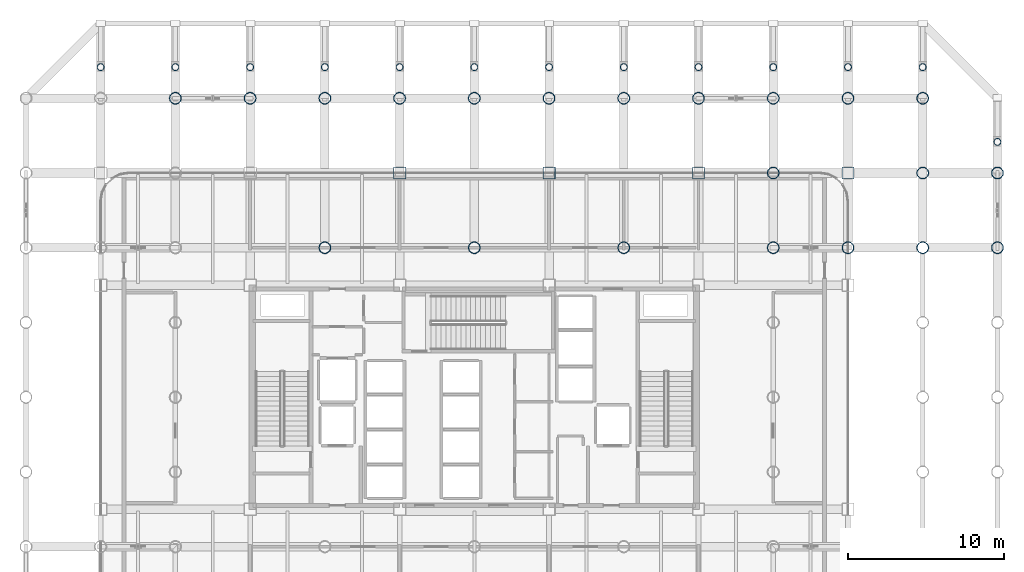
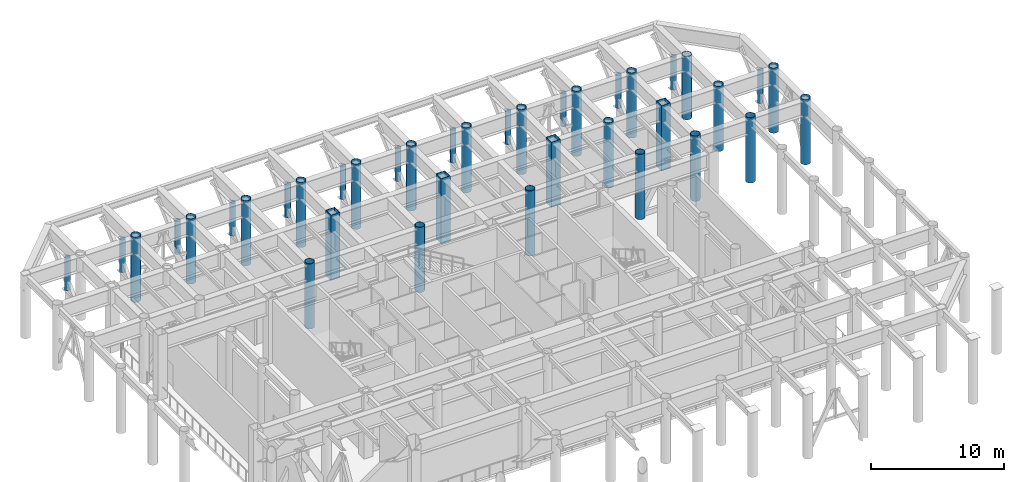
# One storey, part 2 of 19: 38 columns.
"""IFC4 building model written with IfcOpenShell, lengths in metres."""

import ifcopenshell
import ifcopenshell.guid

model = None  # the IFC model being written
_history = None  # IfcOwnerHistory: only IFC2X3 demands one
_inside = {}  # id of a spatial element -> (the spatial element, [elements in it])
_under = {}  # id of a project, library or spatial element -> (it, [spatial elements below it])
_declared = {}  # id of a project -> (the project, [libraries it declares])
_typed = {}  # id of a type object -> (the type object, [elements of that type])
_made_of = {}  # id of a material, layer set ... -> (it, [elements and type objects made of it])


def new_model(schema):
    """Start an empty IFC model of exactly this schema.

    Asked for "IFC4X3", IfcOpenShell would pick the latest addendum, in which some entities
    have other attributes; the version numbers below select the first issue.
    IFC2X3 requires an IfcOwnerHistory on every rooted entity: one is made here for all.
    """
    global model, _history
    if schema == "IFC4X3":
        model = ifcopenshell.file(schema_version=(4, 3, 0, 0))
    else:
        model = ifcopenshell.file(schema=schema)
    _inside.clear()
    _under.clear()
    _declared.clear()
    _typed.clear()
    _made_of.clear()
    _history = None
    if model.schema == "IFC2X3":
        org = make("IfcOrganization", Name="unknown")
        user = make(
            "IfcPersonAndOrganization",
            ThePerson=make("IfcPerson", FamilyName="unknown"),
            TheOrganization=org,
        )
        app = make(
            "IfcApplication",
            ApplicationDeveloper=org,
            Version="unknown",
            ApplicationFullName="unknown",
            ApplicationIdentifier="unknown",
        )
        _history = make(
            "IfcOwnerHistory",
            OwningUser=user,
            OwningApplication=app,
            ChangeAction="ADDED",
            CreationDate=0,
        )
    return model


def make(cls, **values):
    """One entity of the class cls with the attributes given. An attribute that is None is left unset."""
    return model.create_entity(
        cls, **{name: value for name, value in values.items() if value is not None}
    )


def rooted(cls, **values):
    """An entity with a GlobalId (a new one), such as an element, a storey or a relation."""
    return make(cls, GlobalId=ifcopenshell.guid.new(), OwnerHistory=_history, **values)


def si_unit(unit_type, name, prefix=None):
    """IfcSIUnit, for example si_unit("LENGTHUNIT", "METRE", prefix="MILLI")."""
    return make("IfcSIUnit", UnitType=unit_type, Prefix=prefix, Name=name)


def assignment(units):
    """IfcUnitAssignment: the units of a project."""
    return None if units is None else make("IfcUnitAssignment", Units=units)


def point(xyz):
    """IfcCartesianPoint."""
    return None if xyz is None else make("IfcCartesianPoint", Coordinates=xyz)


def direction(xyz):
    """IfcDirection."""
    return None if xyz is None else make("IfcDirection", DirectionRatios=xyz)


def frame(location, z_axis=None, x_axis=None):
    """IfcAxis2Placement3D, a coordinate frame: its origin and axes. An axis left out is left unset."""
    return make(
        "IfcAxis2Placement3D",
        Location=point(location),
        Axis=direction(z_axis),
        RefDirection=direction(x_axis),
    )


def frame_2d(location, x_axis=None):
    """IfcAxis2Placement2D, a coordinate frame in the plane: its origin and x axis."""
    return make(
        "IfcAxis2Placement2D", Location=point(location), RefDirection=direction(x_axis)
    )


def origin():
    """The frame at (0, 0, 0) with its axes left unset."""
    return frame((0.0, 0.0, 0.0))


def origin_2d():
    """The frame at (0, 0) in the plane with its x axis left unset."""
    return frame_2d((0.0, 0.0))


def place(relative_to, where):
    """IfcLocalPlacement: puts the frame where relative to a parent placement (None: the world)."""
    return make(
        "IfcLocalPlacement", PlacementRelTo=relative_to, RelativePlacement=where
    )


def context(
    kind, dimensions, precision=None, world=None, true_north=None, identifier=None
):
    """IfcGeometricRepresentationContext, for example the 3D "Model" context."""
    return make(
        "IfcGeometricRepresentationContext",
        ContextIdentifier=identifier,
        ContextType=kind,
        CoordinateSpaceDimension=dimensions,
        Precision=precision,
        WorldCoordinateSystem=world,
        TrueNorth=true_north,
    )


def subcontext(parent, identifier, kind, view, scale=None):
    """IfcGeometricRepresentationSubContext, for example "Body" below "Model"."""
    return make(
        "IfcGeometricRepresentationSubContext",
        ContextIdentifier=identifier,
        ContextType=kind,
        ParentContext=parent,
        TargetScale=scale,
        TargetView=view,
    )


def project(units=None, contexts=None):
    """IfcProject with its units and contexts."""
    return rooted(
        "IfcProject",
        Name="project",
        RepresentationContexts=contexts,
        UnitsInContext=assignment(units),
    )


def spatial(cls, under=None, at=None, **own):
    """A site, building, storey or space (cls), placed at a placement, below another one or the project."""
    s = rooted(cls, ObjectPlacement=at, **own)
    if under is not None:
        _under.setdefault(under.id(), (under, []))[1].append(s)
    return s


def profile(cls, at=None, kind="AREA", **sizes):
    """A parametric profile (cls). Its sizes go by their IFC names, for example OverallWidth=200.0."""
    return make(cls, ProfileType=kind, Position=at, **sizes)


def hollow_rectangle(**sizes):
    """IfcRectangleHollowProfileDef."""
    return profile("IfcRectangleHollowProfileDef", **sizes)


def hollow_circle(**sizes):
    """IfcCircleHollowProfileDef."""
    return profile("IfcCircleHollowProfileDef", **sizes)


def extrude(swept, where, along, depth):
    """IfcExtrudedAreaSolid: the profile swept, set in the frame where, extruded along a direction by depth."""
    return make(
        "IfcExtrudedAreaSolid",
        SweptArea=swept,
        Position=where,
        ExtrudedDirection=direction(along),
        Depth=depth,
    )


def shape(context_of_items, identifier, shape_type, items):
    """IfcShapeRepresentation: the items that make up one representation, for example the "Body"."""
    return make(
        "IfcShapeRepresentation",
        ContextOfItems=context_of_items,
        RepresentationIdentifier=identifier,
        RepresentationType=shape_type,
        Items=items,
    )


def material(Name=None, Category=None):
    """IfcMaterial."""
    return make("IfcMaterial", Name=Name, Category=Category)


def material_profile(
    of_material, cross_section, Name=None, Category=None, Priority=None
):
    """IfcMaterialProfile: a cross section and its material."""
    return make(
        "IfcMaterialProfile",
        Name=Name,
        Material=of_material,
        Profile=cross_section,
        Priority=Priority,
        Category=Category,
    )


def profile_set(profiles, Name=None, composite=None):
    """IfcMaterialProfileSet."""
    return make(
        "IfcMaterialProfileSet",
        Name=Name,
        MaterialProfiles=profiles,
        CompositeProfile=composite,
    )


def made_of(thing, what):
    """Note that an element or type object is made of a material, layer set ...; save() writes the relation."""
    if what is not None:
        _made_of.setdefault(what.id(), (what, []))[1].append(thing)
    return thing


def type_object(cls, material=None, **own):
    """A type object (cls), such as IfcWallType, which elements share."""
    return made_of(rooted(cls, **own), material)


def element(
    cls,
    number,
    at=None,
    inside=None,
    cuts=None,
    type_object=None,
    material=None,
    context=None,
    identifier="Body",
    shape_type=None,
    held_by="IfcProductDefinitionShape",
    body=None,
    shapes=None,
    **own,
):
    """One element of the class cls, such as IfcWall. Its Tag is "e" and its number.

    at: its placement. inside: the storey or other place that contains it. cuts: it is an
    opening in that element (IfcRelVoidsElement). A single representation is given by context,
    identifier, shape_type and body (its items); several are given by shapes. held_by: the class
    of the entity that holds the representations. save() writes the other relations.
    """
    e = rooted(cls, Tag="e%d" % number, ObjectPlacement=at, **own)
    if body is not None:
        shapes = [shape(context, identifier, shape_type, body)]
    if shapes is not None:
        e.Representation = make(held_by, Representations=shapes)
    if inside is not None:
        _inside.setdefault(inside.id(), (inside, []))[1].append(e)
    if cuts is not None:
        rooted(
            "IfcRelVoidsElement", RelatingBuildingElement=cuts, RelatedOpeningElement=e
        )
    if type_object is not None:
        _typed.setdefault(type_object.id(), (type_object, []))[1].append(e)
    return made_of(e, material)


def aggregate(whole, parts):
    """IfcRelAggregates: a whole, such as a stair, and the parts it consists of."""
    return rooted("IfcRelAggregates", RelatingObject=whole, RelatedObjects=parts)


def save(model, path):
    """Write the relations noted so far, then the file.

    IfcRelAggregates (storeys below a building ...), IfcRelContainedInSpatialStructure (elements
    in a storey), IfcRelDefinesByType, IfcRelAssociatesMaterial and IfcRelDeclares: one each for
    every whole, place, type object, material and project.
    """
    for whole, parts in _under.values():
        aggregate(whole, parts)
    for where, things in _inside.values():
        rooted(
            "IfcRelContainedInSpatialStructure",
            RelatedElements=things,
            RelatingStructure=where,
        )
    for kind, things in _typed.values():
        rooted("IfcRelDefinesByType", RelatedObjects=things, RelatingType=kind)
    for what, things in _made_of.values():
        rooted("IfcRelAssociatesMaterial", RelatedObjects=things, RelatingMaterial=what)
    for by, libraries in _declared.values():
        rooted("IfcRelDeclares", RelatingContext=by, RelatedDefinitions=libraries)
    model.write(path)


model = new_model("IFC4")

# Units and contexts
model_context = context("Model", 3, precision=1e-05, world=origin(), true_north=direction((0.0, 1.0)))
body_context = subcontext(model_context, "Body", "Model", "MODEL_VIEW")
ifc_project = project(units=[si_unit("LENGTHUNIT", "METRE"), si_unit("AREAUNIT", "SQUARE_METRE"), si_unit("VOLUMEUNIT", "CUBIC_METRE"), si_unit("PLANEANGLEUNIT", "RADIAN"), si_unit("MASSUNIT", "GRAM", prefix="KILO")], contexts=[model_context])

# Site, building, storey
site_placement = place(None, origin())
site = spatial("IfcSite", under=ifc_project, at=site_placement, CompositionType="ELEMENT")
building_placement = place(site_placement, origin())
building = spatial("IfcBuilding", under=site, at=building_placement, Name="Kallvorn Hotel Tower", CompositionType="ELEMENT")
storey_placement = place(building_placement, frame((0.0, 0.0, 89.199951171875)))
storey = spatial("IfcBuildingStorey", under=building, at=storey_placement, Name="L21", CompositionType="ELEMENT", Elevation=89.199951171875)

# Columns
ifc_material_1 = material(Name="Structural steel S355J2H", Category="steel")
ifc_material_profile_1 = material_profile(ifc_material_1, hollow_circle(Radius=0.228515625, WallThickness=0.02001953125, at=origin_2d()), Name="CHS 457x20")
ifc_profile_set_1 = profile_set([ifc_material_profile_1], Name="Structural steel S355J2H")
column_type_1 = type_object("IfcColumnType", Name="COL_CHS_457", PredefinedType="COLUMN", material=ifc_profile_set_1)
for number, where, z_axis, x_axis, name in (
    (1, (-24.0, 21.199951171875, 1.400146484375), (0.0, 0.0, 1.0), (1.0, 0.0, 0.0), "L22 Cantilever Haunch Prop Column 01"),
    (2, (-19.199951171875, 21.199951171875, 1.400146484375), (0.0, 0.0, 1.0), (1.0, 0.0, 0.0), "L22 Cantilever Haunch Prop Column 02"),
    (3, (-14.39990234375, 21.199951171875, 1.400146484375), (0.0, 0.0, 1.0), (1.0, 0.0, 0.0), "L22 Cantilever Haunch Prop Column 03"),
    (4, (-9.60009765625, 21.199951171875, 1.400146484375), (0.0, 0.0, 1.0), (1.0, 0.0, 0.0), "L22 Cantilever Haunch Prop Column 04"),
    (5, (-4.800048828125, 21.199951171875, 1.400146484375), (0.0, 0.0, 1.0), (1.0, 0.0, 0.0), "L22 Cantilever Haunch Prop Column 05"),
    (6, (0.0, 21.199951171875, 1.400146484375), (0.0, 0.0, 1.0), (1.0, 0.0, 0.0), "L22 Cantilever Haunch Prop Column 06"),
    (7, (4.800048828125, 21.199951171875, 1.400146484375), (0.0, 0.0, 1.0), (1.0, 0.0, 0.0), "L22 Cantilever Haunch Prop Column 07"),
    (8, (9.60009765625, 21.199951171875, 1.400146484375), (0.0, 0.0, 1.0), (1.0, 0.0, 0.0), "L22 Cantilever Haunch Prop Column 08"),
    (9, (14.39990234375, 21.199951171875, 1.400146484375), (0.0, 0.0, 1.0), (1.0, 0.0, 0.0), "L22 Cantilever Haunch Prop Column 09"),
    (10, (19.199951171875, 21.199951171875, 1.400146484375), (0.0, 0.0, 1.0), (1.0, 0.0, 0.0), "L22 Cantilever Haunch Prop Column 10"),
    (11, (24.0, 21.199951171875, 1.400146484375), (0.0, 0.0, 1.0), (1.0, 0.0, 0.0), "L22 Cantilever Haunch Prop Column 11"),
    (12, (28.800048828125, 21.199951171875, 1.400146484375), (0.0, 0.0, 1.0), (1.0, 0.0, 0.0), "L22 Cantilever Haunch Prop Column 12"),
    (13, (33.60009765625, 16.39990234375, 1.400146484375), (0.0, 0.0, 1.0), (1.0, 0.0, 0.0), "L22 Cantilever Haunch Prop Column 13"),
):
    element("IfcColumn", number, at=place(storey_placement, frame(where, z_axis=z_axis, x_axis=x_axis)), inside=storey, type_object=column_type_1, Name=name, PredefinedType="COLUMN", context=body_context, shape_type="SweptSolid", body=[
        extrude(hollow_circle(Radius=0.228515625, WallThickness=0.02001953125, at=origin_2d()), origin(), (0.0, 0.0, 1.0), 3.039794921875),
    ])
ifc_material_2 = material(Name="Structural steel S355J2H", Category="steel")
ifc_material_profile_2 = material_profile(ifc_material_2, hollow_circle(Radius=0.381103515625, WallThickness=0.031982421875, at=origin_2d()), Name="CHS 762x32")
ifc_profile_set_2 = profile_set([ifc_material_profile_2], Name="Structural steel S355J2H")
column_type_2 = type_object("IfcColumnType", Name="COL_CHS_762", PredefinedType="COLUMN", material=ifc_profile_set_2)
for number, where, z_axis, x_axis, name in (
    (14, (-19.199951171875, 19.199951171875, 0.0), (0.0, 0.0, 1.0), (1.0, 0.0, 0.0), "L21 Exoskeleton Column EC24"),
    (15, (-14.39990234375, 19.199951171875, 0.0), (0.0, 0.0, 1.0), (1.0, 0.0, 0.0), "L21 Exoskeleton Column EC27"),
    (16, (-9.60009765625, 9.60009765625, 0.0), (0.0, 0.0, 1.0), (1.0, 0.0, 0.0), "L21 Exoskeleton Column EC31"),
    (17, (-9.60009765625, 19.199951171875, 0.0), (0.0, 0.0, 1.0), (1.0, 0.0, 0.0), "L21 Exoskeleton Column EC32"),
    (18, (-4.800048828125, 19.199951171875, 0.0), (0.0, 0.0, 1.0), (1.0, 0.0, 0.0), "L21 Exoskeleton Column EC35"),
    (19, (0.0, 9.60009765625, 0.0), (0.0, 0.0, 1.0), (1.0, 0.0, 0.0), "L21 Exoskeleton Column EC39"),
    (20, (0.0, 19.199951171875, 0.0), (0.0, 0.0, 1.0), (1.0, 0.0, 0.0), "L21 Exoskeleton Column EC40"),
    (21, (4.800048828125, 19.199951171875, 0.0), (0.0, 0.0, 1.0), (1.0, 0.0, 0.0), "L21 Exoskeleton Column EC43"),
    (22, (9.60009765625, 9.60009765625, 0.0), (0.0, 0.0, 1.0), (1.0, 0.0, 0.0), "L21 Exoskeleton Column EC47"),
    (23, (9.60009765625, 19.199951171875, 0.0), (0.0, 0.0, 1.0), (1.0, 0.0, 0.0), "L21 Exoskeleton Column EC48"),
    (24, (14.39990234375, 19.199951171875, 0.0), (0.0, 0.0, 1.0), (1.0, 0.0, 0.0), "L21 Exoskeleton Column EC51"),
    (25, (19.199951171875, 9.60009765625, 0.0), (0.0, 0.0, 1.0), (1.0, 0.0, 0.0), "L21 Exoskeleton Column EC59"),
    (26, (19.199951171875, 14.39990234375, 0.0), (0.0, 0.0, 1.0), (1.0, 0.0, 0.0), "L21 Exoskeleton Column EC60"),
    (27, (19.199951171875, 19.199951171875, 0.0), (0.0, 0.0, 1.0), (1.0, 0.0, 0.0), "L21 Exoskeleton Column EC61"),
    (28, (24.0, 9.60009765625, 0.0), (0.0, 0.0, 1.0), (1.0, 0.0, 0.0), "L21 Exoskeleton Column EC65"),
    (29, (24.0, 19.199951171875, 0.0), (0.0, 0.0, 1.0), (1.0, 0.0, 0.0), "L21 Exoskeleton Column EC66"),
    (30, (28.800048828125, 9.60009765625, 0.0), (0.0, 0.0, 1.0), (1.0, 0.0, 0.0), "L21 Exoskeleton Column EC74"),
    (31, (28.800048828125, 14.39990234375, 0.0), (0.0, 0.0, 1.0), (1.0, 0.0, 0.0), "L21 Exoskeleton Column EC75"),
):
    element("IfcColumn", number, at=place(storey_placement, frame(where, z_axis=z_axis, x_axis=x_axis)), inside=storey, type_object=column_type_2, Name=name, PredefinedType="COLUMN", context=body_context, shape_type="SweptSolid", body=[
        extrude(hollow_circle(Radius=0.381103515625, WallThickness=0.031982421875, at=origin_2d()), origin(), (0.0, 0.0, 1.0), 6.0),
    ])
column_placement = place(storey_placement, frame((28.800048828125, 19.199951171875, 0.0), z_axis=(0.0, 0.0, 1.0), x_axis=(1.0, 0.0, 0.0)))
element("IfcColumn", 32, at=column_placement, inside=storey, type_object=column_type_2, Name="L21 Exoskeleton Column EC76", PredefinedType="COLUMN", context=body_context, shape_type="SweptSolid", body=[
    extrude(hollow_circle(Radius=0.381103515625, WallThickness=0.031982421875, at=origin_2d()), origin(), (0.0, 0.0, 1.0), 5.820068359375),
])
for number, where, z_axis, x_axis, name in (
    (33, (33.60009765625, 9.60009765625, 0.0), (0.0, 0.0, 1.0), (1.0, 0.0, 0.0), "L21 Exoskeleton Column EC83"),
    (34, (33.60009765625, 14.39990234375, 0.0), (0.0, 0.0, 1.0), (1.0, 0.0, 0.0), "L21 Exoskeleton Column EC84"),
):
    element("IfcColumn", number, at=place(storey_placement, frame(where, z_axis=z_axis, x_axis=x_axis)), inside=storey, type_object=column_type_2, Name=name, PredefinedType="COLUMN", context=body_context, shape_type="SweptSolid", body=[
        extrude(hollow_circle(Radius=0.381103515625, WallThickness=0.031982421875, at=origin_2d()), origin(), (0.0, 0.0, 1.0), 6.0),
    ])
ifc_material_3 = material(Name="Structural steel S355J2H", Category="steel")
ifc_material_profile_3 = material_profile(ifc_material_3, hollow_rectangle(XDim=0.800048828125, YDim=0.800048828125, WallThickness=0.035888671875, at=origin_2d()), Name="RHS 800x800x36")
ifc_profile_set_3 = profile_set([ifc_material_profile_3], Name="Structural steel S355J2H")
column_type_3 = type_object("IfcColumnType", Name="COL_RHS_800", PredefinedType="COLUMN", material=ifc_profile_set_3)
for number, where, z_axis, x_axis, name in (
    (35, (-4.800048828125, 14.39990234375, 0.0), (0.0, 0.0, 1.0), (1.0, 0.0, 0.0), "L21 Inner Column IC12"),
    (36, (4.800048828125, 14.39990234375, 0.0), (0.0, 0.0, 1.0), (1.0, 0.0, 0.0), "L21 Inner Column IC16"),
    (37, (14.39990234375, 14.39990234375, 0.0), (0.0, 0.0, 1.0), (1.0, 0.0, 0.0), "L21 Inner Column IC20"),
    (38, (24.0, 14.39990234375, 0.0), (0.0, 0.0, 1.0), (1.0, 0.0, 0.0), "L21 Inner Column IC24"),
):
    element("IfcColumn", number, at=place(storey_placement, frame(where, z_axis=z_axis, x_axis=x_axis)), inside=storey, type_object=column_type_3, Name=name, PredefinedType="COLUMN", context=body_context, shape_type="SweptSolid", body=[
        extrude(hollow_rectangle(XDim=0.800048828125, YDim=0.800048828125, WallThickness=0.035888671875, at=origin_2d()), origin(), (0.0, 0.0, 1.0), 6.0),
    ])

save(model, "model.ifc")
